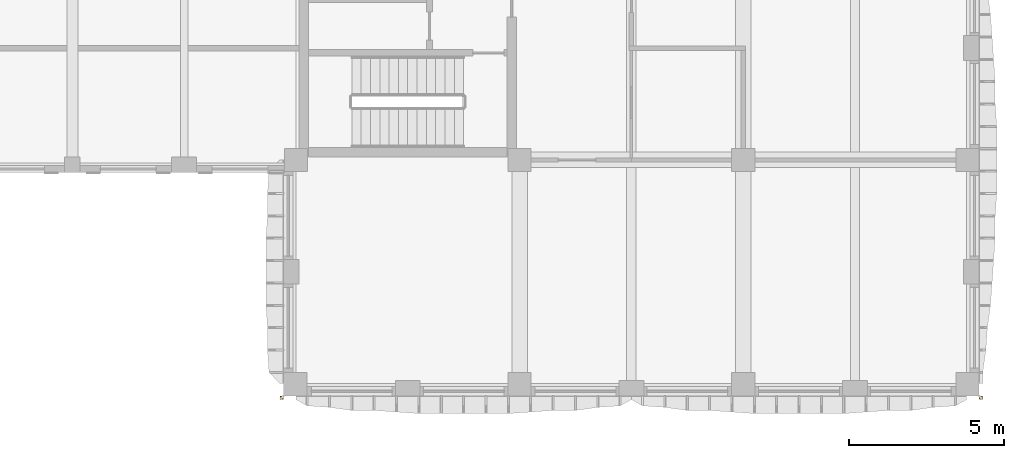
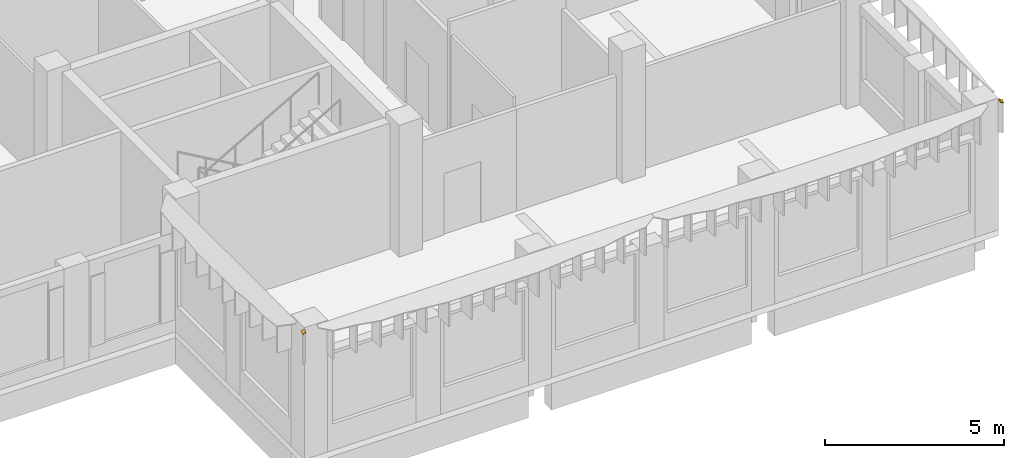
# One storey, part 51 of 54: 2 shading devices.
"""IFC4 building model written with IfcOpenShell, lengths in metres."""

from ifc_helpers import new_model, si_unit, direction, frame, origin, place, context, subcontext, project, spatial, polyline, outline, extrude, material, layer, layer_set, type_object, element, save


model = new_model("IFC4")

# Units and contexts
model_context = context("Model", 3, precision=1e-05, world=origin(), true_north=direction((0.0, 1.0)))
body_context = subcontext(model_context, "Body", "Model", "MODEL_VIEW")
ifc_project = project(units=[si_unit("LENGTHUNIT", "METRE"), si_unit("AREAUNIT", "SQUARE_METRE"), si_unit("VOLUMEUNIT", "CUBIC_METRE"), si_unit("PLANEANGLEUNIT", "RADIAN"), si_unit("MASSUNIT", "GRAM", prefix="KILO")], contexts=[model_context])

# Site, building, storey
site_placement = place(None, origin())
site = spatial("IfcSite", under=ifc_project, at=site_placement, CompositionType="ELEMENT")
building_placement = place(site_placement, origin())
building = spatial("IfcBuilding", under=site, at=building_placement, Name="Ussher Court Research Institute", CompositionType="ELEMENT")
storey_placement = place(building_placement, frame((0.0, 0.0, 14.39990234375)))
storey = spatial("IfcBuildingStorey", under=building, at=storey_placement, Name="L03", CompositionType="ELEMENT", Elevation=14.39990234375)

# Shading devices
ifc_material = material(Name="Bronze anodised aluminium", Category="aluminium")
ifc_layer = layer(ifc_material, 0.0400390625)
ifc_layer_set = layer_set([ifc_layer], Name="Bronze anodised aluminium")
shading_device_type = type_object("IfcShadingDeviceType", Name="Brim visor sheet 40 mm canted 26 deg wet", PredefinedType="USERDEFINED", material=ifc_layer_set)
for number, where, z_axis, x_axis, name in (
    (1, (104.216064453125, 3.583984375, 4.48291015625), (0.400847757571, -0.400847757571, 0.823797396512), (-0.000362285341, -0.899269394429, -0.437395044544), "Brim visor sheet BR1 L03"),
    (2, (81.783935546875, 3.583984375, 4.48291015625), (-0.400847757571, -0.400847757571, 0.823797396512), (-0.899269394429, 0.000362285341, -0.437395044544), "Brim visor sheet BR1 L03"),
):
    element("IfcShadingDevice", number, at=place(storey_placement, frame(where, z_axis=z_axis, x_axis=x_axis)), inside=storey, type_object=shading_device_type, Name=name, ObjectType="BRIM", PredefinedType="USERDEFINED", context=body_context, shape_type="SweptSolid", body=[
        extrude(outline(polyline([(0.0, 0.0), (0.11126515272958254, 0.0), (0.13258606872546647, 0.10931209908468126), (0.021214130096336967, 0.10922405822982874), (0.0, 0.0)])), origin(), (0.0, 0.0, -1.0), 0.0400390625),
    ])

save(model, "model.ifc")
